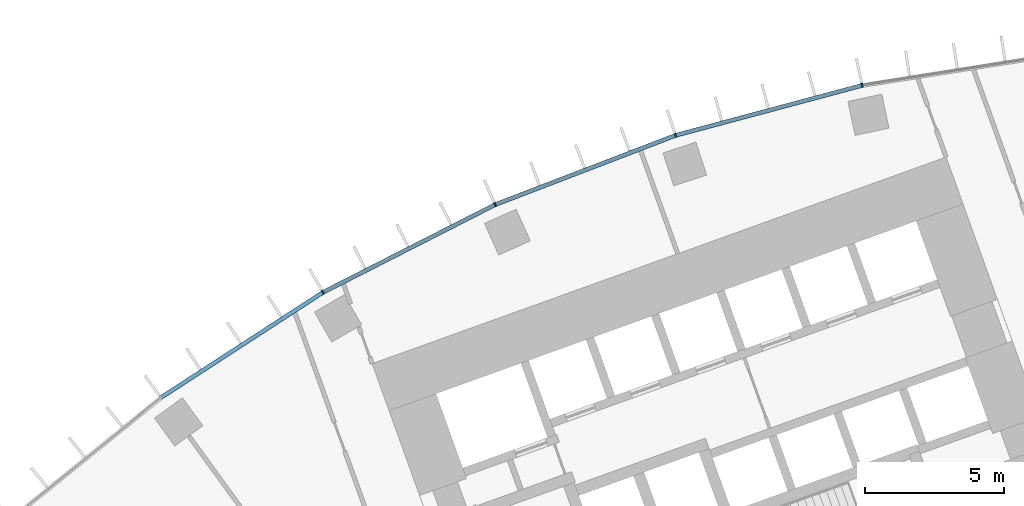
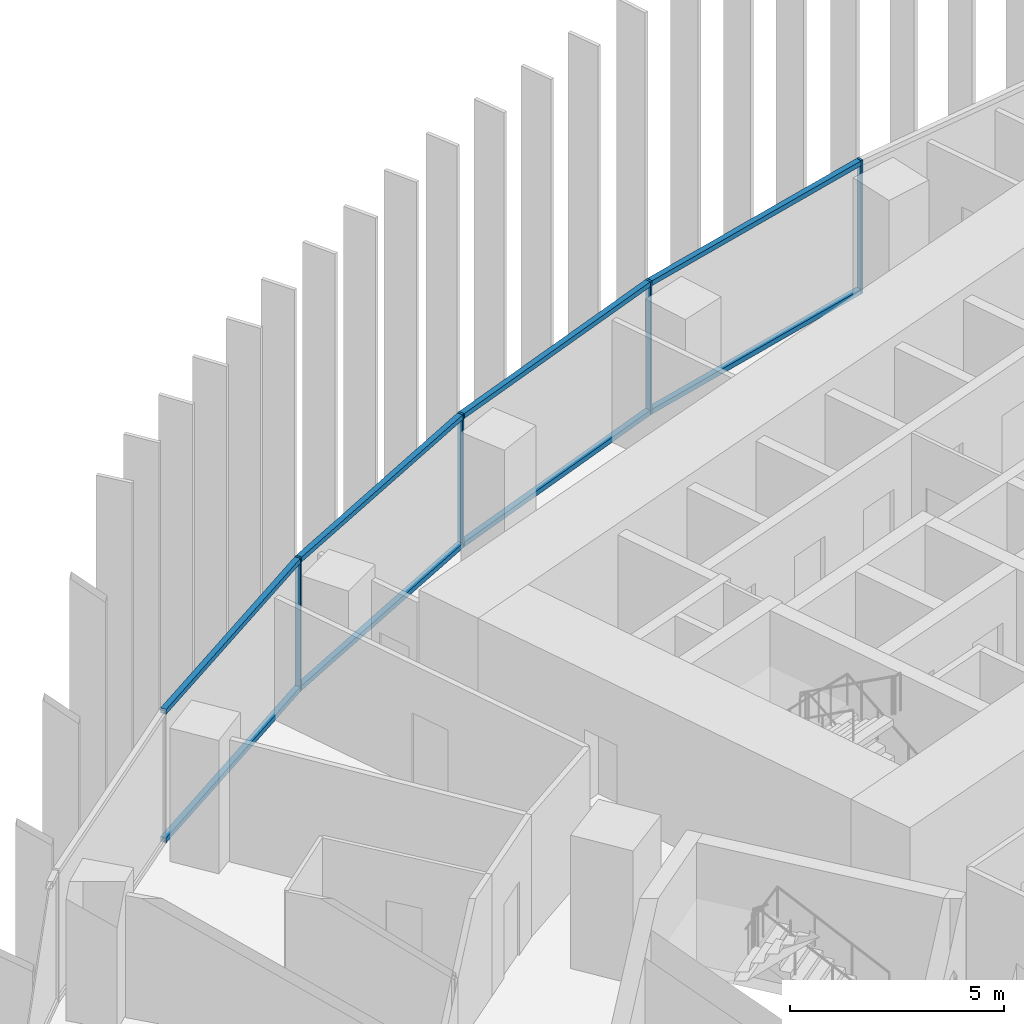
# One storey, part 7 of 24: 12 members, 1 element without a shape of its own.
"""IFC4 building model written with IfcOpenShell, lengths in metres."""

from ifc_helpers import new_model, si_unit, direction, frame, origin, origin_2d, place, context, subcontext, project, spatial, rectangle, extrude, material, layer, layer_set, material_profile, profile_set, type_object, element, aggregate, save


model = new_model("IFC4")

# Units and contexts
model_context = context("Model", 3, precision=1e-05, world=origin(), true_north=direction((0.0, 1.0)))
body_context = subcontext(model_context, "Body", "Model", "MODEL_VIEW")
ifc_project = project(units=[si_unit("LENGTHUNIT", "METRE"), si_unit("AREAUNIT", "SQUARE_METRE"), si_unit("VOLUMEUNIT", "CUBIC_METRE"), si_unit("PLANEANGLEUNIT", "RADIAN"), si_unit("MASSUNIT", "GRAM", prefix="KILO")], contexts=[model_context])

# Site, building, storey
site_placement = place(None, origin())
site = spatial("IfcSite", under=ifc_project, at=site_placement, CompositionType="ELEMENT")
building_placement = place(site_placement, origin())
building = spatial("IfcBuilding", under=site, at=building_placement, Name="Stone Belt Terrace Tower", CompositionType="ELEMENT")
storey_placement = place(building_placement, frame((0.0, 0.0, 64.199951171875)))
storey = spatial("IfcBuildingStorey", under=building, at=storey_placement, Name="L15", CompositionType="ELEMENT", Elevation=64.199951171875)

# Curtain wall, members
ifc_material = material(Name="Aluminium 6063-T6 anodised frame", Category="aluminium")
ifc_layer = layer(ifc_material, 0.14990234375)
ifc_layer_set = layer_set([ifc_layer], Name="CW-A unitised convex-face curtain wall")
curtain_wall_type = type_object("IfcCurtainWallType", Name="CW-A unitised convex-face curtain wall", PredefinedType="NOTDEFINED", material=ifc_layer_set)
curtain_wall_placement = place(storey_placement, origin())
curtain_wall = element("IfcCurtainWall", 1, at=curtain_wall_placement, inside=storey, type_object=curtain_wall_type, Name="CW-A convex face L15", PredefinedType="NOTDEFINED")
ifc_material_profile_1 = material_profile(ifc_material, rectangle(XDim=0.14990234375, YDim=0.06005859375, at=origin_2d()), Name="Aluminium 6063-T6 60x150")
ifc_profile_set_1 = profile_set([ifc_material_profile_1], Name="Aluminium 6063-T6 anodised frame")
member_type_1 = type_object("IfcMemberType", Name="CW-A mullion 60 x 150", PredefinedType="MULLION", material=ifc_profile_set_1)
member_1_placement = place(storey_placement, frame((-13.841796875, 65.120361328125, 0.0), z_axis=(0.0, 0.0, 1.0), x_axis=(0.207911690818, -0.978147600734, 0.0)))
member_1 = element("IfcMember", 2, at=member_1_placement, type_object=member_type_1, Name="CW-A mullion 11", PredefinedType="MULLION", context=body_context, shape_type="SweptSolid", body=[
    extrude(rectangle(XDim=0.14990234375, YDim=0.06005859375, at=origin_2d()), origin(), (0.0, 0.0, 1.0), 3.800048828125),
])
member_2_placement = place(storey_placement, frame((-20.57275390625, 63.316650390625, 0.0), z_axis=(0.0, 0.0, 1.0), x_axis=(0.309016994375, -0.951056516295, 0.0)))
member_2 = element("IfcMember", 3, at=member_2_placement, type_object=member_type_1, Name="CW-A mullion 12", PredefinedType="MULLION", context=body_context, shape_type="SweptSolid", body=[
    extrude(rectangle(XDim=0.14990234375, YDim=0.06005859375, at=origin_2d()), origin(), (0.0, 0.0, 1.0), 3.800048828125),
])
member_3_placement = place(storey_placement, frame((-27.07861328125, 60.8193359375, 0.0), z_axis=(0.0, 0.0, 1.0), x_axis=(0.406736643076, -0.913545457643, 0.0)))
member_3 = element("IfcMember", 4, at=member_3_placement, type_object=member_type_1, Name="CW-A mullion 13", PredefinedType="MULLION", context=body_context, shape_type="SweptSolid", body=[
    extrude(rectangle(XDim=0.14990234375, YDim=0.06005859375, at=origin_2d()), origin(), (0.0, 0.0, 1.0), 3.800048828125),
])
member_4_placement = place(storey_placement, frame((-33.28759765625, 57.65576171875, 0.0), z_axis=(0.0, 0.0, 1.0), x_axis=(0.5, -0.866025403784, 0.0)))
member_4 = element("IfcMember", 5, at=member_4_placement, type_object=member_type_1, Name="CW-A mullion 14", PredefinedType="MULLION", context=body_context, shape_type="SweptSolid", body=[
    extrude(rectangle(XDim=0.14990234375, YDim=0.06005859375, at=origin_2d()), origin(), (0.0, 0.0, 1.0), 3.800048828125),
])
ifc_material_profile_2 = material_profile(ifc_material, rectangle(XDim=0.14990234375, YDim=0.139892578125, at=origin_2d()), Name="Aluminium 6063-T6 150x140")
ifc_profile_set_2 = profile_set([ifc_material_profile_2], Name="Aluminium 6063-T6 anodised frame")
member_type_2 = type_object("IfcMemberType", Name="CW-A transom 140 x 150", PredefinedType="USERDEFINED", material=ifc_profile_set_2)
member_5_placement = place(storey_placement, frame((-13.87451171875, 65.111572265625, 0.070068359375), z_axis=(-0.965921835863, -0.258833937117, 0.0), x_axis=(0.258833937117, -0.965921835863, 0.0)))
member_5 = element("IfcMember", 6, at=member_5_placement, type_object=member_type_2, Name="CW-A transom 11.1", ObjectType="TRANSOM", PredefinedType="USERDEFINED", context=body_context, shape_type="SweptSolid", body=[
    extrude(rectangle(XDim=0.14990234375, YDim=0.139892578125, at=origin_2d()), origin(), (0.0, 0.0, 1.0), 6.900634765625),
])
member_6_placement = place(storey_placement, frame((-13.87451171875, 65.111572265625, 3.72998046875), z_axis=(-0.965921835863, -0.258833937117, 0.0), x_axis=(0.258833937117, -0.965921835863, 0.0)))
member_6 = element("IfcMember", 7, at=member_6_placement, type_object=member_type_2, Name="CW-A transom 11.2", ObjectType="TRANSOM", PredefinedType="USERDEFINED", context=body_context, shape_type="SweptSolid", body=[
    extrude(rectangle(XDim=0.14990234375, YDim=0.139892578125, at=origin_2d()), origin(), (0.0, 0.0, 1.0), 6.900634765625),
])
member_7_placement = place(storey_placement, frame((-20.6044921875, 63.304443359375, 0.070068359375), z_axis=(-0.933585210269, -0.358355487146, 0.0), x_axis=(0.358355487146, -0.933585210269, 0.0)))
member_7 = element("IfcMember", 8, at=member_7_placement, type_object=member_type_2, Name="CW-A transom 12.1", ObjectType="TRANSOM", PredefinedType="USERDEFINED", context=body_context, shape_type="SweptSolid", body=[
    extrude(rectangle(XDim=0.14990234375, YDim=0.139892578125, at=origin_2d()), origin(), (0.0, 0.0, 1.0), 6.900634765625),
])
member_8_placement = place(storey_placement, frame((-20.6044921875, 63.304443359375, 3.72998046875), z_axis=(-0.933585210269, -0.358355487146, 0.0), x_axis=(0.358355487146, -0.933585210269, 0.0)))
member_8 = element("IfcMember", 9, at=member_8_placement, type_object=member_type_2, Name="CW-A transom 12.2", ObjectType="TRANSOM", PredefinedType="USERDEFINED", context=body_context, shape_type="SweptSolid", body=[
    extrude(rectangle(XDim=0.14990234375, YDim=0.139892578125, at=origin_2d()), origin(), (0.0, 0.0, 1.0), 6.900634765625),
])
member_9_placement = place(storey_placement, frame((-27.108642578125, 60.803955078125, 0.070068359375), z_axis=(-0.891012226264, -0.453979308613, 0.0), x_axis=(0.453979308613, -0.891012226264, 0.0)))
member_9 = element("IfcMember", 10, at=member_9_placement, type_object=member_type_2, Name="CW-A transom 13.1", ObjectType="TRANSOM", PredefinedType="USERDEFINED", context=body_context, shape_type="SweptSolid", body=[
    extrude(rectangle(XDim=0.14990234375, YDim=0.139892578125, at=origin_2d()), origin(), (0.0, 0.0, 1.0), 6.90087890625),
])
member_10_placement = place(storey_placement, frame((-27.108642578125, 60.803955078125, 3.72998046875), z_axis=(-0.891012226264, -0.453979308613, 0.0), x_axis=(0.453979308613, -0.891012226264, 0.0)))
member_10 = element("IfcMember", 11, at=member_10_placement, type_object=member_type_2, Name="CW-A transom 13.2", ObjectType="TRANSOM", PredefinedType="USERDEFINED", context=body_context, shape_type="SweptSolid", body=[
    extrude(rectangle(XDim=0.14990234375, YDim=0.139892578125, at=origin_2d()), origin(), (0.0, 0.0, 1.0), 6.90087890625),
])
member_11_placement = place(storey_placement, frame((-33.31591796875, 57.63720703125, 0.070068359375), z_axis=(-0.83868440714, -0.544617723931, 0.0), x_axis=(0.544617723931, -0.83868440714, 0.0)))
member_11 = element("IfcMember", 12, at=member_11_placement, type_object=member_type_2, Name="CW-A transom 14.1", ObjectType="TRANSOM", PredefinedType="USERDEFINED", context=body_context, shape_type="SweptSolid", body=[
    extrude(rectangle(XDim=0.14990234375, YDim=0.139892578125, at=origin_2d()), origin(), (0.0, 0.0, 1.0), 6.90087890625),
])
member_12_placement = place(storey_placement, frame((-33.31591796875, 57.63720703125, 3.72998046875), z_axis=(-0.83868440714, -0.544617723931, 0.0), x_axis=(0.544617723931, -0.83868440714, 0.0)))
member_12 = element("IfcMember", 13, at=member_12_placement, type_object=member_type_2, Name="CW-A transom 14.2", ObjectType="TRANSOM", PredefinedType="USERDEFINED", context=body_context, shape_type="SweptSolid", body=[
    extrude(rectangle(XDim=0.14990234375, YDim=0.139892578125, at=origin_2d()), origin(), (0.0, 0.0, 1.0), 6.90087890625),
])
aggregate(curtain_wall, [member_1, member_2, member_3, member_4, member_5, member_6, member_7, member_8, member_9, member_10, member_11, member_12])

save(model, "model.ifc")
